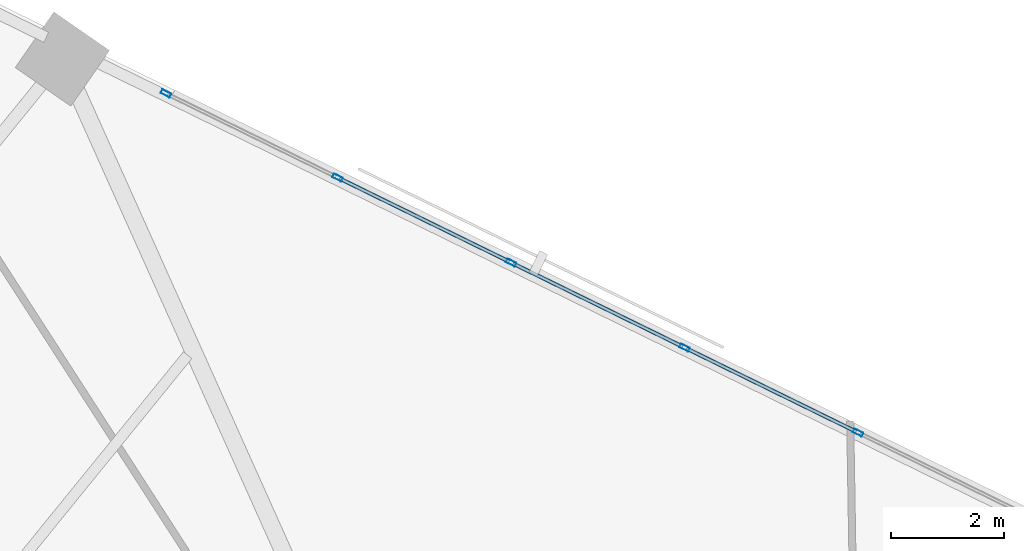
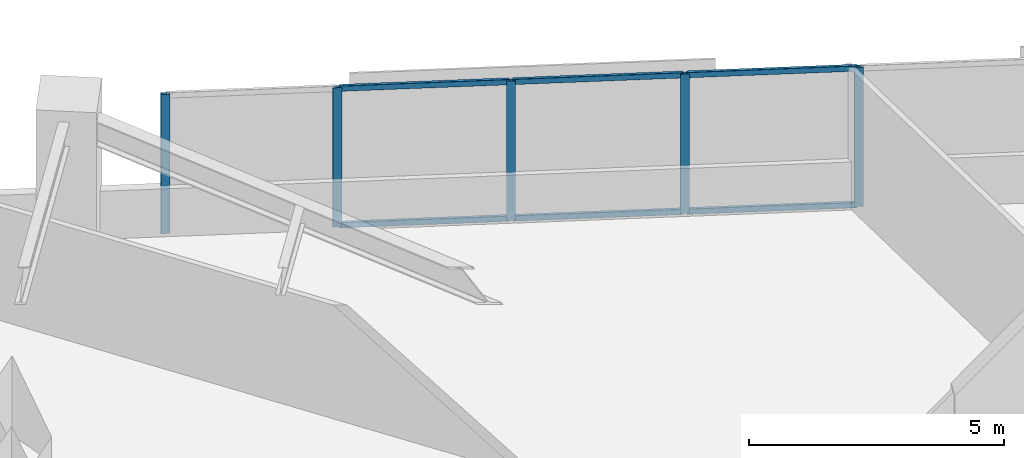
# One storey, part 10 of 18: 11 members, 1 element without a shape of its own.
"""IFC4 building model written with IfcOpenShell, lengths in metres."""

import ifcopenshell
import ifcopenshell.guid

model = None  # the IFC model being written
_history = None  # IfcOwnerHistory: only IFC2X3 demands one
_inside = {}  # id of a spatial element -> (the spatial element, [elements in it])
_under = {}  # id of a project, library or spatial element -> (it, [spatial elements below it])
_declared = {}  # id of a project -> (the project, [libraries it declares])
_typed = {}  # id of a type object -> (the type object, [elements of that type])
_made_of = {}  # id of a material, layer set ... -> (it, [elements and type objects made of it])


def new_model(schema):
    """Start an empty IFC model of exactly this schema.

    Asked for "IFC4X3", IfcOpenShell would pick the latest addendum, in which some entities
    have other attributes; the version numbers below select the first issue.
    IFC2X3 requires an IfcOwnerHistory on every rooted entity: one is made here for all.
    """
    global model, _history
    if schema == "IFC4X3":
        model = ifcopenshell.file(schema_version=(4, 3, 0, 0))
    else:
        model = ifcopenshell.file(schema=schema)
    _inside.clear()
    _under.clear()
    _declared.clear()
    _typed.clear()
    _made_of.clear()
    _history = None
    if model.schema == "IFC2X3":
        org = make("IfcOrganization", Name="unknown")
        user = make(
            "IfcPersonAndOrganization",
            ThePerson=make("IfcPerson", FamilyName="unknown"),
            TheOrganization=org,
        )
        app = make(
            "IfcApplication",
            ApplicationDeveloper=org,
            Version="unknown",
            ApplicationFullName="unknown",
            ApplicationIdentifier="unknown",
        )
        _history = make(
            "IfcOwnerHistory",
            OwningUser=user,
            OwningApplication=app,
            ChangeAction="ADDED",
            CreationDate=0,
        )
    return model


def make(cls, **values):
    """One entity of the class cls with the attributes given. An attribute that is None is left unset."""
    return model.create_entity(
        cls, **{name: value for name, value in values.items() if value is not None}
    )


def rooted(cls, **values):
    """An entity with a GlobalId (a new one), such as an element, a storey or a relation."""
    return make(cls, GlobalId=ifcopenshell.guid.new(), OwnerHistory=_history, **values)


def si_unit(unit_type, name, prefix=None):
    """IfcSIUnit, for example si_unit("LENGTHUNIT", "METRE", prefix="MILLI")."""
    return make("IfcSIUnit", UnitType=unit_type, Prefix=prefix, Name=name)


def assignment(units):
    """IfcUnitAssignment: the units of a project."""
    return None if units is None else make("IfcUnitAssignment", Units=units)


def point(xyz):
    """IfcCartesianPoint."""
    return None if xyz is None else make("IfcCartesianPoint", Coordinates=xyz)


def direction(xyz):
    """IfcDirection."""
    return None if xyz is None else make("IfcDirection", DirectionRatios=xyz)


def frame(location, z_axis=None, x_axis=None):
    """IfcAxis2Placement3D, a coordinate frame: its origin and axes. An axis left out is left unset."""
    return make(
        "IfcAxis2Placement3D",
        Location=point(location),
        Axis=direction(z_axis),
        RefDirection=direction(x_axis),
    )


def frame_2d(location, x_axis=None):
    """IfcAxis2Placement2D, a coordinate frame in the plane: its origin and x axis."""
    return make(
        "IfcAxis2Placement2D", Location=point(location), RefDirection=direction(x_axis)
    )


def origin():
    """The frame at (0, 0, 0) with its axes left unset."""
    return frame((0.0, 0.0, 0.0))


def origin_2d():
    """The frame at (0, 0) in the plane with its x axis left unset."""
    return frame_2d((0.0, 0.0))


def place(relative_to, where):
    """IfcLocalPlacement: puts the frame where relative to a parent placement (None: the world)."""
    return make(
        "IfcLocalPlacement", PlacementRelTo=relative_to, RelativePlacement=where
    )


def context(
    kind, dimensions, precision=None, world=None, true_north=None, identifier=None
):
    """IfcGeometricRepresentationContext, for example the 3D "Model" context."""
    return make(
        "IfcGeometricRepresentationContext",
        ContextIdentifier=identifier,
        ContextType=kind,
        CoordinateSpaceDimension=dimensions,
        Precision=precision,
        WorldCoordinateSystem=world,
        TrueNorth=true_north,
    )


def subcontext(parent, identifier, kind, view, scale=None):
    """IfcGeometricRepresentationSubContext, for example "Body" below "Model"."""
    return make(
        "IfcGeometricRepresentationSubContext",
        ContextIdentifier=identifier,
        ContextType=kind,
        ParentContext=parent,
        TargetScale=scale,
        TargetView=view,
    )


def project(units=None, contexts=None):
    """IfcProject with its units and contexts."""
    return rooted(
        "IfcProject",
        Name="project",
        RepresentationContexts=contexts,
        UnitsInContext=assignment(units),
    )


def spatial(cls, under=None, at=None, **own):
    """A site, building, storey or space (cls), placed at a placement, below another one or the project."""
    s = rooted(cls, ObjectPlacement=at, **own)
    if under is not None:
        _under.setdefault(under.id(), (under, []))[1].append(s)
    return s


def profile(cls, at=None, kind="AREA", **sizes):
    """A parametric profile (cls). Its sizes go by their IFC names, for example OverallWidth=200.0."""
    return make(cls, ProfileType=kind, Position=at, **sizes)


def hollow_rectangle(**sizes):
    """IfcRectangleHollowProfileDef."""
    return profile("IfcRectangleHollowProfileDef", **sizes)


def extrude(swept, where, along, depth):
    """IfcExtrudedAreaSolid: the profile swept, set in the frame where, extruded along a direction by depth."""
    return make(
        "IfcExtrudedAreaSolid",
        SweptArea=swept,
        Position=where,
        ExtrudedDirection=direction(along),
        Depth=depth,
    )


def shape(context_of_items, identifier, shape_type, items):
    """IfcShapeRepresentation: the items that make up one representation, for example the "Body"."""
    return make(
        "IfcShapeRepresentation",
        ContextOfItems=context_of_items,
        RepresentationIdentifier=identifier,
        RepresentationType=shape_type,
        Items=items,
    )


def material(Name=None, Category=None):
    """IfcMaterial."""
    return make("IfcMaterial", Name=Name, Category=Category)


def material_profile(
    of_material, cross_section, Name=None, Category=None, Priority=None
):
    """IfcMaterialProfile: a cross section and its material."""
    return make(
        "IfcMaterialProfile",
        Name=Name,
        Material=of_material,
        Profile=cross_section,
        Priority=Priority,
        Category=Category,
    )


def profile_set(profiles, Name=None, composite=None):
    """IfcMaterialProfileSet."""
    return make(
        "IfcMaterialProfileSet",
        Name=Name,
        MaterialProfiles=profiles,
        CompositeProfile=composite,
    )


def made_of(thing, what):
    """Note that an element or type object is made of a material, layer set ...; save() writes the relation."""
    if what is not None:
        _made_of.setdefault(what.id(), (what, []))[1].append(thing)
    return thing


def type_object(cls, material=None, **own):
    """A type object (cls), such as IfcWallType, which elements share."""
    return made_of(rooted(cls, **own), material)


def element(
    cls,
    number,
    at=None,
    inside=None,
    cuts=None,
    type_object=None,
    material=None,
    context=None,
    identifier="Body",
    shape_type=None,
    held_by="IfcProductDefinitionShape",
    body=None,
    shapes=None,
    **own,
):
    """One element of the class cls, such as IfcWall. Its Tag is "e" and its number.

    at: its placement. inside: the storey or other place that contains it. cuts: it is an
    opening in that element (IfcRelVoidsElement). A single representation is given by context,
    identifier, shape_type and body (its items); several are given by shapes. held_by: the class
    of the entity that holds the representations. save() writes the other relations.
    """
    e = rooted(cls, Tag="e%d" % number, ObjectPlacement=at, **own)
    if body is not None:
        shapes = [shape(context, identifier, shape_type, body)]
    if shapes is not None:
        e.Representation = make(held_by, Representations=shapes)
    if inside is not None:
        _inside.setdefault(inside.id(), (inside, []))[1].append(e)
    if cuts is not None:
        rooted(
            "IfcRelVoidsElement", RelatingBuildingElement=cuts, RelatedOpeningElement=e
        )
    if type_object is not None:
        _typed.setdefault(type_object.id(), (type_object, []))[1].append(e)
    return made_of(e, material)


def aggregate(whole, parts):
    """IfcRelAggregates: a whole, such as a stair, and the parts it consists of."""
    return rooted("IfcRelAggregates", RelatingObject=whole, RelatedObjects=parts)


def save(model, path):
    """Write the relations noted so far, then the file.

    IfcRelAggregates (storeys below a building ...), IfcRelContainedInSpatialStructure (elements
    in a storey), IfcRelDefinesByType, IfcRelAssociatesMaterial and IfcRelDeclares: one each for
    every whole, place, type object, material and project.
    """
    for whole, parts in _under.values():
        aggregate(whole, parts)
    for where, things in _inside.values():
        rooted(
            "IfcRelContainedInSpatialStructure",
            RelatedElements=things,
            RelatingStructure=where,
        )
    for kind, things in _typed.values():
        rooted("IfcRelDefinesByType", RelatedObjects=things, RelatingType=kind)
    for what, things in _made_of.values():
        rooted("IfcRelAssociatesMaterial", RelatedObjects=things, RelatingMaterial=what)
    for by, libraries in _declared.values():
        rooted("IfcRelDeclares", RelatingContext=by, RelatedDefinitions=libraries)
    model.write(path)


model = new_model("IFC4")

# Units and contexts
model_context = context("Model", 3, precision=1e-05, world=origin(), true_north=direction((0.0, 1.0)))
body_context = subcontext(model_context, "Body", "Model", "MODEL_VIEW")
ifc_project = project(units=[si_unit("LENGTHUNIT", "METRE"), si_unit("AREAUNIT", "SQUARE_METRE"), si_unit("VOLUMEUNIT", "CUBIC_METRE"), si_unit("PLANEANGLEUNIT", "RADIAN"), si_unit("MASSUNIT", "GRAM", prefix="KILO")], contexts=[model_context])

# Site, building, storey
site_placement = place(None, origin())
site = spatial("IfcSite", under=ifc_project, at=site_placement, CompositionType="ELEMENT")
building_placement = place(site_placement, origin())
building = spatial("IfcBuilding", under=site, at=building_placement, Name="Narakoshi Arena Tower", CompositionType="ELEMENT")
storey_placement = place(building_placement, frame((0.0, 0.0, 95.699951171875)))
storey = spatial("IfcBuildingStorey", under=building, at=storey_placement, Name="L25", CompositionType="ELEMENT", Elevation=95.699951171875)

# Curtain wall, members
ifc_material = material(Name="Anodised bronze aluminium 6063-T6", Category="aluminium")
curtain_wall_type = type_object("IfcCurtainWallType", Name="CW-HYP-LOW", PredefinedType="NOTDEFINED", material=ifc_material)
curtain_wall_placement = place(storey_placement, origin())
curtain_wall = element("IfcCurtainWall", 1, at=curtain_wall_placement, inside=storey, type_object=curtain_wall_type, Name="L25 Folded Hypotenuse Curtain Wall 2-1", PredefinedType="NOTDEFINED")
ifc_material_profile_1 = material_profile(ifc_material, hollow_rectangle(XDim=0.074951171875, YDim=0.179931640625, WallThickness=0.00390625, OuterFilletRadius=0.0048828125, at=origin_2d()), Name="MUL180x75x4")
ifc_profile_set_1 = profile_set([ifc_material_profile_1], Name="Anodised bronze aluminium 6063-T6")
member_type_1 = type_object("IfcMemberType", Name="MEM-MUL-180", PredefinedType="MULLION", material=ifc_profile_set_1)
member_1_placement = place(storey_placement, frame((78.41259765625, 67.01611328125, 0.0), z_axis=(0.0, 0.0, 1.0), x_axis=(-0.440004510198, -0.89799556291, 0.0)))
member_1 = element("IfcMember", 2, at=member_1_placement, type_object=member_type_1, Name="CW-01 mullion 4", PredefinedType="MULLION", context=body_context, shape_type="SweptSolid", body=[
    extrude(hollow_rectangle(XDim=0.074951171875, YDim=0.179931640625, WallThickness=0.00390625, OuterFilletRadius=0.0048828125, at=origin_2d()), origin(), (0.0, 0.0, 1.0), 3.340087890625),
])
member_2_placement = place(storey_placement, frame((75.33935546875, 68.52197265625, 0.0), z_axis=(0.0, 0.0, 1.0), x_axis=(-0.440004510198, -0.89799556291, 0.0)))
member_2 = element("IfcMember", 3, at=member_2_placement, type_object=member_type_1, Name="CW-01 mullion 5", PredefinedType="MULLION", context=body_context, shape_type="SweptSolid", body=[
    extrude(hollow_rectangle(XDim=0.074951171875, YDim=0.179931640625, WallThickness=0.00390625, OuterFilletRadius=0.0048828125, at=origin_2d()), origin(), (0.0, 0.0, 1.0), 3.340087890625),
])
member_3_placement = place(storey_placement, frame((72.26611328125, 70.028076171875, 0.0), z_axis=(0.0, 0.0, 1.0), x_axis=(-0.440004510198, -0.89799556291, 0.0)))
member_3 = element("IfcMember", 4, at=member_3_placement, type_object=member_type_1, Name="CW-01 mullion 6", PredefinedType="MULLION", context=body_context, shape_type="SweptSolid", body=[
    extrude(hollow_rectangle(XDim=0.074951171875, YDim=0.179931640625, WallThickness=0.00390625, OuterFilletRadius=0.0048828125, at=origin_2d()), origin(), (0.0, 0.0, 1.0), 3.340087890625),
])
member_4_placement = place(storey_placement, frame((69.19287109375, 71.533935546875, 0.0), z_axis=(0.0, 0.0, 1.0), x_axis=(-0.440004510198, -0.89799556291, 0.0)))
member_4 = element("IfcMember", 5, at=member_4_placement, type_object=member_type_1, Name="CW-01 mullion 7", PredefinedType="MULLION", context=body_context, shape_type="SweptSolid", body=[
    extrude(hollow_rectangle(XDim=0.074951171875, YDim=0.179931640625, WallThickness=0.00390625, OuterFilletRadius=0.0048828125, at=origin_2d()), origin(), (0.0, 0.0, 1.0), 3.340087890625),
])
member_5_placement = place(storey_placement, frame((66.153076171875, 73.023193359375, 0.0), z_axis=(0.0, 0.0, 1.0), x_axis=(-0.440004510198, -0.89799556291, 0.0)))
member_5 = element("IfcMember", 6, at=member_5_placement, type_object=member_type_1, Name="CW-01 mullion 8", PredefinedType="MULLION", context=body_context, shape_type="SweptSolid", body=[
    extrude(hollow_rectangle(XDim=0.074951171875, YDim=0.179931640625, WallThickness=0.00390625, OuterFilletRadius=0.0048828125, at=origin_2d()), origin(), (0.0, 0.0, 1.0), 3.340087890625),
])
ifc_material_profile_2 = material_profile(ifc_material, hollow_rectangle(XDim=0.06494140625, YDim=0.1298828125, WallThickness=0.00390625, OuterFilletRadius=0.0048828125, at=origin_2d()), Name="TRN130x65x4")
ifc_profile_set_2 = profile_set([ifc_material_profile_2], Name="Anodised bronze aluminium 6063-T6")
member_type_2 = type_object("IfcMemberType", Name="MEM-TRN-130", PredefinedType="USERDEFINED", material=ifc_profile_set_2)
member_6_placement = place(storey_placement, frame((78.37890625, 67.03271484375, 0.032470703125), z_axis=(-0.897986843255, 0.440022305503, 0.0), x_axis=(-0.440022305503, -0.897986843255, 0.0)))
member_6 = element("IfcMember", 7, at=member_6_placement, type_object=member_type_2, Name="CW-01 transom 4.1", ObjectType="TRANSOM", PredefinedType="USERDEFINED", context=body_context, shape_type="SweptSolid", body=[
    extrude(hollow_rectangle(XDim=0.06494140625, YDim=0.1298828125, WallThickness=0.00390625, OuterFilletRadius=0.0048828125, at=origin_2d()), origin(), (0.0, 0.0, 1.0), 3.347412109375),
])
member_7_placement = place(storey_placement, frame((78.37890625, 67.03271484375, 3.3076171875), z_axis=(-0.897986843255, 0.440022305503, 0.0), x_axis=(-0.440022305503, -0.897986843255, 0.0)))
member_7 = element("IfcMember", 8, at=member_7_placement, type_object=member_type_2, Name="CW-01 transom 4.2", ObjectType="TRANSOM", PredefinedType="USERDEFINED", context=body_context, shape_type="SweptSolid", body=[
    extrude(hollow_rectangle(XDim=0.06494140625, YDim=0.1298828125, WallThickness=0.00390625, OuterFilletRadius=0.0048828125, at=origin_2d()), origin(), (0.0, 0.0, 1.0), 3.347412109375),
])
member_8_placement = place(storey_placement, frame((75.3056640625, 68.53857421875, 0.032470703125), z_axis=(-0.897986843255, 0.440022305503, 0.0), x_axis=(-0.440022305503, -0.897986843255, 0.0)))
member_8 = element("IfcMember", 9, at=member_8_placement, type_object=member_type_2, Name="CW-01 transom 5.1", ObjectType="TRANSOM", PredefinedType="USERDEFINED", context=body_context, shape_type="SweptSolid", body=[
    extrude(hollow_rectangle(XDim=0.06494140625, YDim=0.1298828125, WallThickness=0.00390625, OuterFilletRadius=0.0048828125, at=origin_2d()), origin(), (0.0, 0.0, 1.0), 3.347412109375),
])
member_9_placement = place(storey_placement, frame((75.3056640625, 68.53857421875, 3.3076171875), z_axis=(-0.897986843255, 0.440022305503, 0.0), x_axis=(-0.440022305503, -0.897986843255, 0.0)))
member_9 = element("IfcMember", 10, at=member_9_placement, type_object=member_type_2, Name="CW-01 transom 5.2", ObjectType="TRANSOM", PredefinedType="USERDEFINED", context=body_context, shape_type="SweptSolid", body=[
    extrude(hollow_rectangle(XDim=0.06494140625, YDim=0.1298828125, WallThickness=0.00390625, OuterFilletRadius=0.0048828125, at=origin_2d()), origin(), (0.0, 0.0, 1.0), 3.347412109375),
])
member_10_placement = place(storey_placement, frame((72.232421875, 70.04443359375, 0.032470703125), z_axis=(-0.897986843255, 0.440022305503, 0.0), x_axis=(-0.440022305503, -0.897986843255, 0.0)))
member_10 = element("IfcMember", 11, at=member_10_placement, type_object=member_type_2, Name="CW-01 transom 6.1", ObjectType="TRANSOM", PredefinedType="USERDEFINED", context=body_context, shape_type="SweptSolid", body=[
    extrude(hollow_rectangle(XDim=0.06494140625, YDim=0.1298828125, WallThickness=0.00390625, OuterFilletRadius=0.0048828125, at=origin_2d()), origin(), (0.0, 0.0, 1.0), 3.347412109375),
])
member_11_placement = place(storey_placement, frame((72.232421875, 70.04443359375, 3.3076171875), z_axis=(-0.897986843255, 0.440022305503, 0.0), x_axis=(-0.440022305503, -0.897986843255, 0.0)))
member_11 = element("IfcMember", 12, at=member_11_placement, type_object=member_type_2, Name="CW-01 transom 6.2", ObjectType="TRANSOM", PredefinedType="USERDEFINED", context=body_context, shape_type="SweptSolid", body=[
    extrude(hollow_rectangle(XDim=0.06494140625, YDim=0.1298828125, WallThickness=0.00390625, OuterFilletRadius=0.0048828125, at=origin_2d()), origin(), (0.0, 0.0, 1.0), 3.347412109375),
])
aggregate(curtain_wall, [member_1, member_2, member_3, member_4, member_5, member_6, member_7, member_8, member_9, member_10, member_11])

save(model, "model.ifc")
